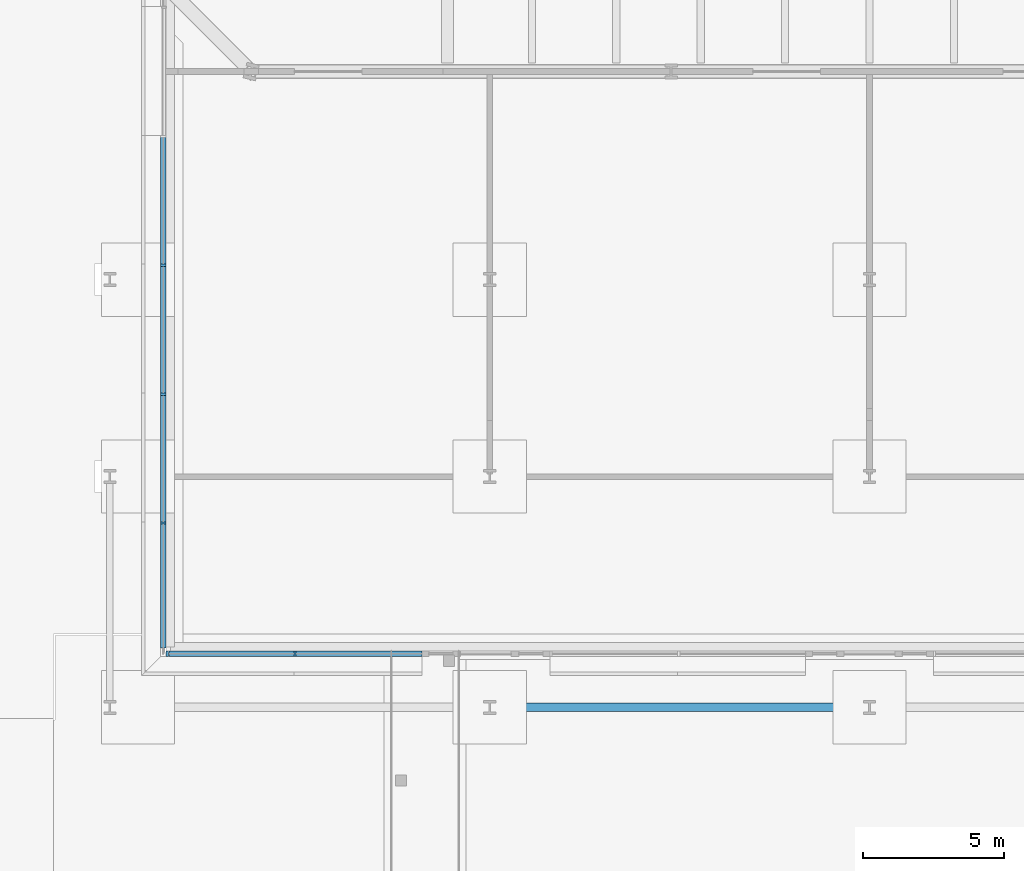
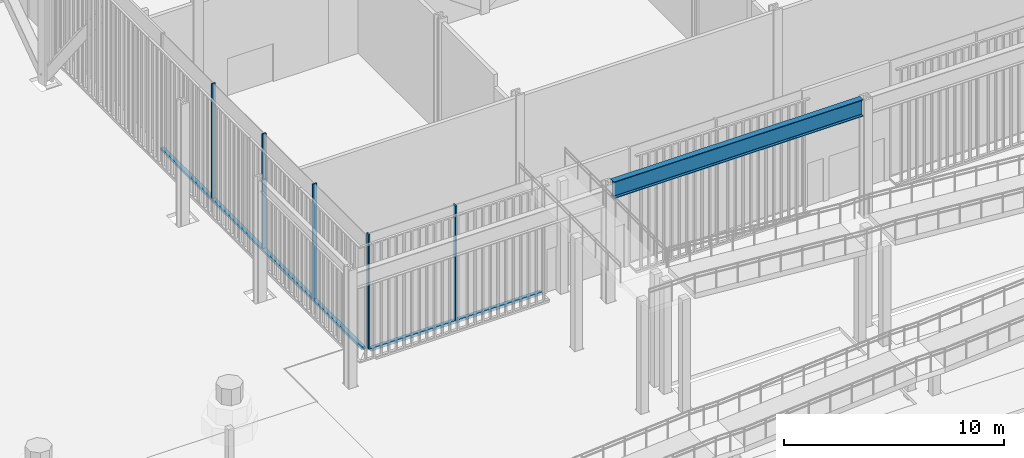
# One storey, part 3 of 28: 7 members, 1 beam, 2 elements without a shape of their own.
"""IFC4 building model written with IfcOpenShell, lengths in metres."""

from ifc_helpers import new_model, si_unit, direction, frame, origin, origin_2d, place, context, subcontext, project, spatial, rectangle, i_section, extrude, material, layer, layer_set, material_profile, profile_set, type_object, element, aggregate, save


model = new_model("IFC4")

# Units and contexts
model_context = context("Model", 3, precision=1e-05, world=origin(), true_north=direction((0.0, 1.0)))
body_context = subcontext(model_context, "Body", "Model", "MODEL_VIEW")
ifc_project = project(units=[si_unit("LENGTHUNIT", "METRE"), si_unit("AREAUNIT", "SQUARE_METRE"), si_unit("VOLUMEUNIT", "CUBIC_METRE"), si_unit("PLANEANGLEUNIT", "RADIAN"), si_unit("MASSUNIT", "GRAM", prefix="KILO")], contexts=[model_context])

# Site, building, storey
site_placement = place(None, origin())
site = spatial("IfcSite", under=ifc_project, at=site_placement, CompositionType="ELEMENT")
building_placement = place(site_placement, origin())
building = spatial("IfcBuilding", under=site, at=building_placement, Name="Millrace Tower", CompositionType="ELEMENT")
storey_placement = place(building_placement, origin())
storey = spatial("IfcBuildingStorey", under=building, at=storey_placement, Name="L01", CompositionType="ELEMENT", Elevation=0.0)

# Curtain wall, members
ifc_material_1 = material(Name="Aluminium and glass", Category="aluminium")
ifc_layer = layer(ifc_material_1, 0.199951171875)
ifc_layer_set = layer_set([ifc_layer], Name="Aluminium and glass")
curtain_wall_type = type_object("IfcCurtainWallType", Name="CW-6 lobby and cascade wing storefront", PredefinedType="NOTDEFINED", material=ifc_layer_set)
placement = place(storey_placement, origin())
curtain_wall_1 = element("IfcCurtainWall", 1, at=placement, inside=storey, type_object=curtain_wall_type, Name="Curtain wall AW1-F01 L01", PredefinedType="NOTDEFINED")
ifc_material_2 = material(Name="Aluminium", Category="aluminium")
ifc_material_profile_1 = material_profile(ifc_material_2, rectangle(XDim=0.074951171875, YDim=0.199951171875, at=origin_2d()))
ifc_profile_set_1 = profile_set([ifc_material_profile_1], Name="Aluminium")
member_type_1 = type_object("IfcMemberType", Name="CW-6 lobby and cascade wing storefront mullion", PredefinedType="MULLION", material=ifc_profile_set_1)
member_1_placement = place(storey_placement, frame((-24.96240234375, -47.699951171875, 0.14990234375), z_axis=(0.0, 0.0, 1.0), x_axis=(1.0, 0.0, 0.0)))
member_1 = element("IfcMember", 2, at=member_1_placement, type_object=member_type_1, Name="CW6 mullion AW1-F01.1", PredefinedType="MULLION", context=body_context, shape_type="SweptSolid", body=[
    extrude(rectangle(XDim=0.074951171875, YDim=0.199951171875, at=origin_2d()), origin(), (0.0, 0.0, 1.0), 6.35009765625),
])
member_2_placement = place(storey_placement, frame((-20.4169921875, -47.699951171875, 0.14990234375), z_axis=(0.0, 0.0, 1.0), x_axis=(1.0, 0.0, 0.0)))
member_2 = element("IfcMember", 3, at=member_2_placement, type_object=member_type_1, Name="CW6 mullion AW1-F01.2", PredefinedType="MULLION", context=body_context, shape_type="SweptSolid", body=[
    extrude(rectangle(XDim=0.074951171875, YDim=0.199951171875, at=origin_2d()), origin(), (0.0, 0.0, 1.0), 6.35009765625),
])

curtain_wall_2 = element("IfcCurtainWall", 4, at=placement, inside=storey, type_object=curtain_wall_type, Name="Curtain wall AW1-F06 L01", PredefinedType="NOTDEFINED")
member_3_placement = place(storey_placement, frame((-25.10009765625, -33.887451171875, 0.14990234375), z_axis=(0.0, 0.0, 1.0), x_axis=(0.0, -1.0, 0.0)))
member_3 = element("IfcMember", 5, at=member_3_placement, type_object=member_type_1, Name="CW6 mullion AW1-F06.13", PredefinedType="MULLION", context=body_context, shape_type="SweptSolid", body=[
    extrude(rectangle(XDim=0.074951171875, YDim=0.199951171875, at=origin_2d()), origin(), (0.0, 0.0, 1.0), 6.35009765625),
])
member_4_placement = place(storey_placement, frame((-25.10009765625, -38.470947265625, 0.14990234375), z_axis=(0.0, 0.0, 1.0), x_axis=(0.0, -1.0, 0.0)))
member_4 = element("IfcMember", 6, at=member_4_placement, type_object=member_type_1, Name="CW6 mullion AW1-F06.14", PredefinedType="MULLION", context=body_context, shape_type="SweptSolid", body=[
    extrude(rectangle(XDim=0.074951171875, YDim=0.199951171875, at=origin_2d()), origin(), (0.0, 0.0, 1.0), 6.35009765625),
])
member_5_placement = place(storey_placement, frame((-25.10009765625, -43.05419921875, 0.14990234375), z_axis=(0.0, 0.0, 1.0), x_axis=(0.0, -1.0, 0.0)))
member_5 = element("IfcMember", 7, at=member_5_placement, type_object=member_type_1, Name="CW6 mullion AW1-F06.15", PredefinedType="MULLION", context=body_context, shape_type="SweptSolid", body=[
    extrude(rectangle(XDim=0.074951171875, YDim=0.199951171875, at=origin_2d()), origin(), (0.0, 0.0, 1.0), 6.35009765625),
])

# Member
ifc_material_3 = material(Name="Aluminium", Category="aluminium")
ifc_material_profile_2 = material_profile(ifc_material_3, rectangle(XDim=0.199951171875, YDim=0.14990234375, at=origin_2d()))
ifc_profile_set_2 = profile_set([ifc_material_profile_2], Name="Aluminium")
member_type_2 = type_object("IfcMemberType", Name="CW-6 lobby and cascade wing storefront transom", PredefinedType="USERDEFINED", material=ifc_profile_set_2)
member_6_placement = place(storey_placement, frame((-24.89990234375, -47.699951171875, 0.074951171875), z_axis=(1.0, 0.0, 0.0), x_axis=(0.0, 1.0, 0.0)))
member_6 = element("IfcMember", 8, at=member_6_placement, type_object=member_type_2, Name="CW6 transom AW1-F01.1", ObjectType="TRANSOM", PredefinedType="USERDEFINED", context=body_context, shape_type="SweptSolid", body=[
    extrude(rectangle(XDim=0.199951171875, YDim=0.14990234375, at=origin_2d()), origin(), (0.0, 0.0, 1.0), 8.99072265625),
])

aggregate(curtain_wall_1, [member_1, member_2, member_6])

member_7_placement = place(storey_placement, frame((-25.10009765625, -29.2666015625, 0.074951171875), z_axis=(0.0, -1.0, 0.0), x_axis=(1.0, 0.0, 0.0)))
member_7 = element("IfcMember", 9, at=member_7_placement, type_object=member_type_2, Name="CW6 transom AW1-F06.6", ObjectType="TRANSOM", PredefinedType="USERDEFINED", context=body_context, shape_type="SweptSolid", body=[
    extrude(rectangle(XDim=0.199951171875, YDim=0.14990234375, at=origin_2d()), origin(), (0.0, 0.0, 1.0), 18.2333984375),
])

aggregate(curtain_wall_2, [member_3, member_4, member_5, member_7])

# Beam
ifc_material_4 = material(Name="Steel ASTM A992 Grade 50", Category="steel")
ifc_material_profile_3 = material_profile(ifc_material_4, i_section(OverallWidth=0.307373046875, OverallDepth=0.927001953125, WebThickness=0.01953125, FlangeThickness=0.031982421875, FilletRadius=0.01904296875, at=origin_2d()))
ifc_profile_set_3 = profile_set([ifc_material_profile_3], Name="Steel ASTM A992 Grade 50")
beam_type = type_object("IfcBeamType", Name="Terrace edge beam W36x194", PredefinedType="BEAM", material=ifc_profile_set_3)
beam_placement = place(storey_placement, frame((-13.2841796875, -49.60009765625, 6.036376953125), z_axis=(1.0, 0.0, 0.0), x_axis=(0.0, 1.0, 0.0)))
element("IfcBeam", 10, at=beam_placement, inside=storey, type_object=beam_type, Name="BM-WING-L01-EDGE02", PredefinedType="BEAM", context=body_context, shape_type="SweptSolid", body=[
    extrude(i_section(OverallWidth=0.307373046875, OverallDepth=0.927001953125, WebThickness=0.01953125, FlangeThickness=0.031982421875, FilletRadius=0.01904296875, at=origin_2d()), origin(), (0.0, 0.0, 1.0), 13.068359375),
])

save(model, "model.ifc")
